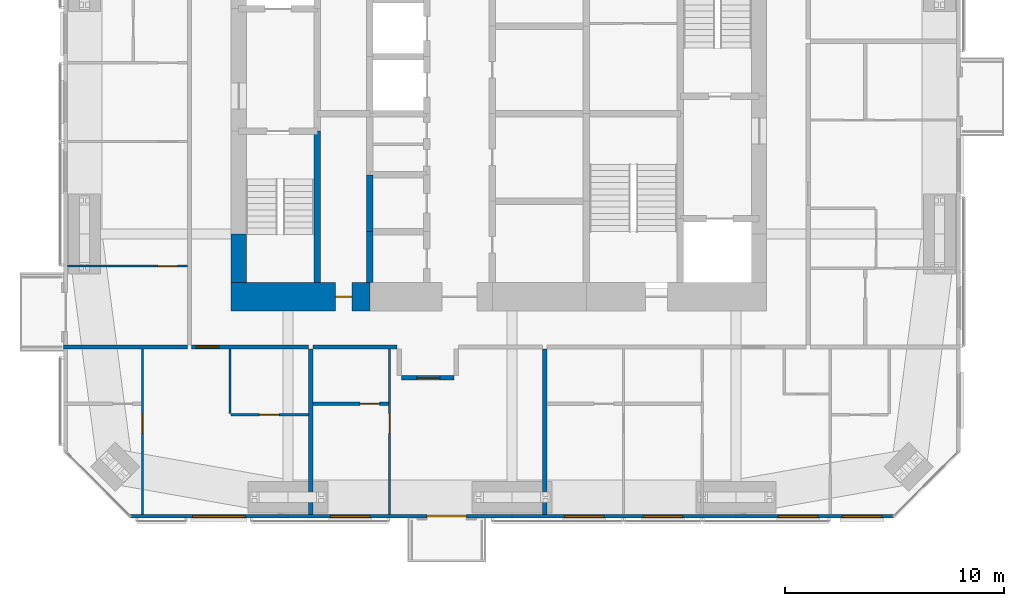
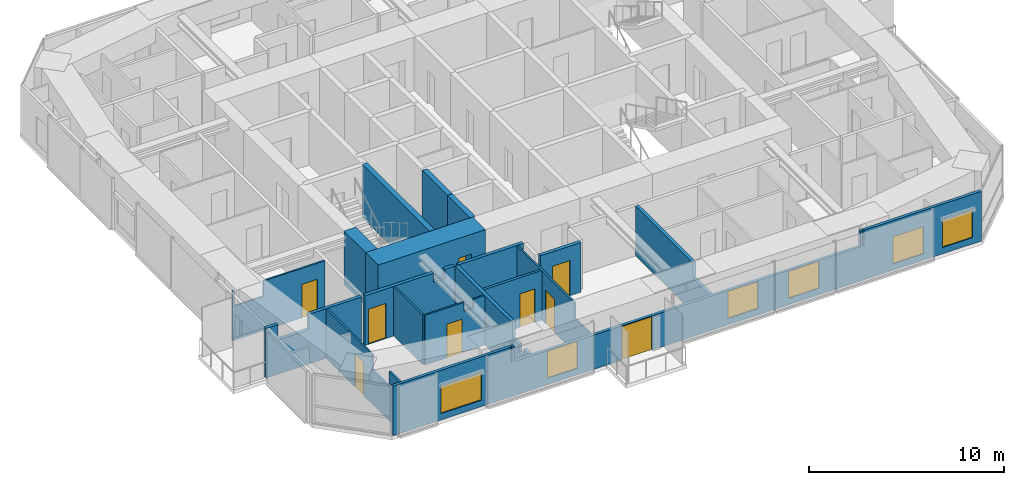
# One storey, part 16 of 23: 18 walls, 9 doors, 6 windows, 15 openings.
"""IFC4 building model written with IfcOpenShell, lengths in metres."""

from ifc_helpers import new_model, si_unit, direction, frame, frame_2d, origin, place, context, subcontext, project, spatial, polyline, rectangle, outline, extrude, material, layer, layer_set, constituent, constituent_set, type_object, element, fill, save


model = new_model("IFC4")

# Units and contexts
model_context = context("Model", 3, precision=1e-05, world=origin(), true_north=direction((0.0, 1.0)))
body_context = subcontext(model_context, "Body", "Model", "MODEL_VIEW")
ifc_project = project(units=[si_unit("LENGTHUNIT", "METRE"), si_unit("AREAUNIT", "SQUARE_METRE"), si_unit("VOLUMEUNIT", "CUBIC_METRE"), si_unit("PLANEANGLEUNIT", "RADIAN"), si_unit("MASSUNIT", "GRAM", prefix="KILO")], contexts=[model_context])

# Site, building, storey
site_placement = place(None, origin())
site = spatial("IfcSite", under=ifc_project, at=site_placement, CompositionType="ELEMENT")
building_placement = place(site_placement, origin())
building = spatial("IfcBuilding", under=site, at=building_placement, Name="Jalousie Tower", CompositionType="ELEMENT")
storey_placement = place(building_placement, frame((0.0, 0.0, 184.5)))
storey = spatial("IfcBuildingStorey", under=building, at=storey_placement, Name="L50", CompositionType="ELEMENT", Elevation=184.5)

# Wall, opening, door
ifc_material_1 = material(Name="Concrete block ASTM C90", Category="concrete")
ifc_constituent_1 = constituent(ifc_material_1, Name="Body")
ifc_material_2 = material(Name="Render")
ifc_constituent_2 = constituent(ifc_material_2, Name="Finish")
ifc_constituent_set_1 = constituent_set(constituents=[ifc_constituent_1, ifc_constituent_2])
wall_type_1 = type_object("IfcWallType", Name="BATHROOM WALL 150", PredefinedType="PLUMBINGWALL", material=ifc_constituent_set_1)
wall_1_placement = place(storey_placement, frame((23.39990234375, 5.22509765625, 0.0), z_axis=(0.0, 0.0, 1.0), x_axis=(1.0, 0.0, 0.0)))
wall_1 = element("IfcWall", 1, at=wall_1_placement, inside=storey, type_object=wall_type_1, Name="Bathroom Wall 150 L50", PredefinedType="PLUMBINGWALL", context=body_context, shape_type="SweptSolid", body=[
    extrude(rectangle(XDim=3.4501953125, YDim=0.14990234375, at=frame_2d((1.72509765625, 0.0))), origin(), (0.0, 0.0, 1.0), 3.110107421875),
])
opening_1_placement = place(wall_1_placement, frame((2.14990234375, 0.0, 0.0)))
opening_1 = element("IfcOpeningElement", 2, at=opening_1_placement, cuts=wall_1, Name="Opening D3", PredefinedType="OPENING", context=body_context, shape_type="SweptSolid", body=[
    extrude(rectangle(XDim=0.89990234375, YDim=2.10009765625, at=frame_2d((0.449951171875, 1.050048828125))), frame((0.0, 0.0849609375, 0.0), z_axis=(0.0, -1.0, 0.0), x_axis=(1.0, 0.0, 0.0)), (0.0, 0.0, 1.0), 0.169921875),
])
ifc_material_3 = material(Name="Timber door", Category="wood")
door_type_1 = type_object("IfcDoorType", Name="BATHROOM DOOR 900", OperationType="SINGLE_SWING_LEFT", PredefinedType="DOOR", material=ifc_material_3)
door_1_placement = place(opening_1_placement, origin())
door_1 = element("IfcDoor", 3, at=door_1_placement, inside=storey, type_object=door_type_1, Name="Apartment 5002 bedroom 1 bathroom door", OperationType="SINGLE_SWING_RIGHT", OverallHeight=2.10009765625, OverallWidth=0.89990234375, PredefinedType="DOOR", context=body_context, shape_type="SweptSolid", body=[
    extrude(rectangle(XDim=0.89990234375, YDim=2.10009765625, at=frame_2d((0.449951171875, 1.050048828125))), frame((0.0, 0.02490234375, 0.0), z_axis=(0.0, -1.0, 0.0), x_axis=(1.0, 0.0, 0.0)), (0.0, 0.0, 1.0), 0.050048828125),
])
fill(opening_1, door_1)

ifc_material_4 = material(Name="Concrete f'c 120 MPa", Category="concrete")
ifc_layer_1 = layer(ifc_material_4, 1.300048828125)
ifc_layer_set_1 = layer_set([ifc_layer_1], Name="Concrete f'c 120 MPa")
wall_type_2 = type_object("IfcWallType", Name="CORE WALL 1300", PredefinedType="SHEAR", material=ifc_layer_set_1)
wall_2_placement = place(storey_placement, frame((19.64990234375, 10.125, 0.0), z_axis=(0.0, 0.0, 1.0), x_axis=(1.0, 0.0, 0.0)))
wall_2 = element("IfcWall", 4, at=wall_2_placement, inside=storey, type_object=wall_type_2, Name="Core wall SA L50", PredefinedType="SHEAR", context=body_context, shape_type="SweptSolid", body=[
    extrude(rectangle(XDim=6.35009765625, YDim=1.300048828125, at=frame_2d((3.175048828125, 0.0))), origin(), (0.0, 0.0, 1.0), 3.35009765625),
])
opening_2_placement = place(wall_2_placement, frame((4.77490234375, 0.0, 0.0)))
opening_2 = element("IfcOpeningElement", 5, at=opening_2_placement, cuts=wall_2, Name="Opening D16", PredefinedType="OPENING", context=body_context, shape_type="SweptSolid", body=[
    extrude(rectangle(XDim=0.75, YDim=2.10009765625, at=frame_2d((0.375, 1.050048828125))), frame((0.0, 0.659912109375, 0.0), z_axis=(0.0, -1.0, 0.0), x_axis=(1.0, 0.0, 0.0)), (0.0, 0.0, 1.0), 1.320068359375),
])
ifc_material_5 = material(Name="Steel fire door", Category="steel")
door_type_2 = type_object("IfcDoorType", Name="RISER DOOR 750", OperationType="SINGLE_SWING_LEFT", PredefinedType="DOOR", material=ifc_material_5)
door_2_placement = place(opening_2_placement, origin())
door_2 = element("IfcDoor", 6, at=door_2_placement, inside=storey, type_object=door_type_2, Name="South riser door", OperationType="SINGLE_SWING_LEFT", OverallHeight=2.10009765625, OverallWidth=0.75, PredefinedType="DOOR", context=body_context, shape_type="SweptSolid", body=[
    extrude(rectangle(XDim=0.75, YDim=2.10009765625, at=frame_2d((0.375, 1.050048828125))), frame((0.0, 0.02490234375, 0.0), z_axis=(0.0, -1.0, 0.0), x_axis=(1.0, 0.0, 0.0)), (0.0, 0.0, 1.0), 0.050048828125),
])
fill(opening_2, door_2)

# Walls
ifc_material_6 = material(Name="Concrete f'c 120 MPa", Category="concrete")
ifc_layer_2 = layer(ifc_material_6, 0.300048828125)
ifc_layer_set_2 = layer_set([ifc_layer_2], Name="Concrete f'c 120 MPa")
wall_type_3 = type_object("IfcWallType", Name="CORE WALL 300", PredefinedType="SHEAR", material=ifc_layer_set_2)
wall_3_placement = place(storey_placement, frame((23.60009765625, 10.77490234375, 0.0), z_axis=(0.0, 0.0, 1.0), x_axis=(0.0, 1.0, 0.0)))
element("IfcWall", 7, at=wall_3_placement, inside=storey, type_object=wall_type_3, Name="Core wall X23.6A L50", PredefinedType="SHEAR", context=body_context, shape_type="SweptSolid", body=[
    extrude(rectangle(XDim=6.925048828125, YDim=0.300048828125, at=frame_2d((3.46240234375, 0.0))), origin(), (0.0, 0.0, 1.0), 3.35009765625),
])
wall_4_placement = place(storey_placement, frame((26.0, 10.77490234375, 0.0), z_axis=(0.0, 0.0, 1.0), x_axis=(0.0, 1.0, 0.0)))
element("IfcWall", 8, at=wall_4_placement, inside=storey, type_object=wall_type_3, Name="Core wall X26A L50", PredefinedType="SHEAR", context=body_context, shape_type="SweptSolid", body=[
    extrude(rectangle(XDim=2.3251953125, YDim=0.300048828125, at=frame_2d((1.16259765625, 0.0))), origin(), (0.0, 0.0, 1.0), 3.35009765625),
])
wall_5_placement = place(storey_placement, frame((26.0, 13.10009765625, 0.0), z_axis=(0.0, 0.0, 1.0), x_axis=(0.0, 1.0, 0.0)))
element("IfcWall", 9, at=wall_5_placement, inside=storey, type_object=wall_type_3, Name="Core wall X26B L50", PredefinedType="SHEAR", context=body_context, shape_type="SweptSolid", body=[
    extrude(rectangle(XDim=2.599853515625, YDim=0.300048828125, at=frame_2d((1.2998046875, 0.0))), origin(), (0.0, 0.0, 1.0), 3.35009765625),
])
ifc_material_7 = material(Name="Concrete f'c 120 MPa", Category="concrete")
ifc_layer_3 = layer(ifc_material_7, 0.699951171875)
ifc_layer_set_3 = layer_set([ifc_layer_3], Name="Concrete f'c 120 MPa")
wall_type_4 = type_object("IfcWallType", Name="CORE WALL 700", PredefinedType="SHEAR", material=ifc_layer_set_3)
wall_6_placement = place(storey_placement, frame((20.0, 13.0, 0.0), z_axis=(0.0, 0.0, 1.0), x_axis=(0.0, -1.0, 0.0)))
element("IfcWall", 10, at=wall_6_placement, inside=storey, type_object=wall_type_4, Name="Core wall WD L50", PredefinedType="SHEAR", context=body_context, shape_type="SweptSolid", body=[
    extrude(rectangle(XDim=2.22509765625, YDim=0.699951171875, at=frame_2d((1.112548828125, 0.0))), origin(), (0.0, 0.0, 1.0), 3.35009765625),
])

# Wall, opening, door
ifc_material_8 = material(Name="Concrete block ASTM C90", Category="concrete")
ifc_constituent_3 = constituent(ifc_material_8, Name="Body")
ifc_material_9 = material(Name="Render")
ifc_constituent_4 = constituent(ifc_material_9, Name="Finish")
ifc_constituent_set_2 = constituent_set(constituents=[ifc_constituent_3, ifc_constituent_4])
wall_type_5 = type_object("IfcWallType", Name="CORRIDOR WALL 200", PredefinedType="PARTITIONING", material=ifc_constituent_set_2)
wall_7_placement = place(storey_placement, frame((17.85009765625, 7.824951171875, 0.0), z_axis=(0.0, 0.0, 1.0), x_axis=(1.0, 0.0, 0.0)))
wall_7 = element("IfcWall", 11, at=wall_7_placement, inside=storey, type_object=wall_type_5, Name="Corridor Wall 200 L50", PredefinedType="PARTITIONING", context=body_context, shape_type="SweptSolid", body=[
    extrude(outline(polyline([(0.0, 0.0), (5.349853515625, 0.0), (5.35009765625, 3.110107421875), (4.7373046875, 3.110107421875), (4.7373046875, 2.541015625), (4.0625, 2.541015625), (4.0625, 3.110107421875), (0.0, 3.110107421875), (0.0, 0.0)])), frame((0.0, 0.10009765625, 0.0), z_axis=(0.0, -1.0, 0.0), x_axis=(1.0, 0.0, 0.0)), (0.0, 0.0, 1.0), 0.199951171875),
])
opening_3_placement = place(wall_7_placement, frame((0.199951171875, 0.0, 0.0)))
opening_3 = element("IfcOpeningElement", 12, at=opening_3_placement, cuts=wall_7, Name="Opening D1", PredefinedType="OPENING", context=body_context, shape_type="SweptSolid", body=[
    extrude(rectangle(XDim=1.050048828125, YDim=2.199951171875, at=frame_2d((0.52490234375, 1.10009765625))), frame((0.0, 0.10986328125, 0.0), z_axis=(0.0, -1.0, 0.0), x_axis=(1.0, 0.0, 0.0)), (0.0, 0.0, 1.0), 0.219970703125),
])
ifc_material_10 = material(Name="Timber fire door", Category="wood")
door_type_3 = type_object("IfcDoorType", Name="APARTMENT ENTRANCE DOOR 1050", OperationType="SINGLE_SWING_LEFT", PredefinedType="DOOR", material=ifc_material_10)
door_3_placement = place(opening_3_placement, frame((1.050048828125, 0.0, 0.0), z_axis=(0.0, 0.0, 1.0), x_axis=(-1.0, 0.0, 0.0)))
door_3 = element("IfcDoor", 13, at=door_3_placement, inside=storey, type_object=door_type_3, Name="Apartment 5001 entrance", OperationType="SINGLE_SWING_LEFT", OverallHeight=2.199951171875, OverallWidth=1.050048828125, PredefinedType="DOOR", context=body_context, shape_type="SweptSolid", body=[
    extrude(rectangle(XDim=1.050048828125, YDim=2.199951171875, at=frame_2d((0.52490234375, 1.10009765625))), frame((0.0, 0.02490234375, 0.0), z_axis=(0.0, -1.0, 0.0), x_axis=(1.0, 0.0, 0.0)), (0.0, 0.0, 1.0), 0.050048828125),
])
fill(opening_3, door_3)

# Wall
wall_8_placement = place(storey_placement, frame((23.39990234375, 7.824951171875, 0.0), z_axis=(0.0, 0.0, 1.0), x_axis=(1.0, 0.0, 0.0)))
element("IfcWall", 14, at=wall_8_placement, inside=storey, type_object=wall_type_5, Name="Corridor Wall 200 L50", PredefinedType="PARTITIONING", context=body_context, shape_type="SweptSolid", body=[
    extrude(rectangle(XDim=3.85009765625, YDim=0.199951171875, at=frame_2d((1.925048828125, 0.0))), origin(), (0.0, 0.0, 1.0), 3.110107421875),
])

# Wall, opening, door
wall_9_placement = place(storey_placement, frame((27.449951171875, 6.425048828125, 0.0), z_axis=(0.0, 0.0, 1.0), x_axis=(1.0, 0.0, 0.0)))
wall_9 = element("IfcWall", 15, at=wall_9_placement, inside=storey, type_object=wall_type_5, Name="Corridor Wall 200 L50", PredefinedType="PARTITIONING", context=body_context, shape_type="SweptSolid", body=[
    extrude(rectangle(XDim=2.400146484375, YDim=0.199951171875, at=frame_2d((1.2001953125, 0.0))), origin(), (0.0, 0.0, 1.0), 3.110107421875),
])
opening_4_placement = place(wall_9_placement, frame((0.699951171875, 0.0, 0.0)))
opening_4 = element("IfcOpeningElement", 16, at=opening_4_placement, cuts=wall_9, Name="Opening D1", PredefinedType="OPENING", context=body_context, shape_type="SweptSolid", body=[
    extrude(rectangle(XDim=1.050048828125, YDim=2.199951171875, at=frame_2d((0.52490234375, 1.10009765625))), frame((0.0, 0.10986328125, 0.0), z_axis=(0.0, -1.0, 0.0), x_axis=(1.0, 0.0, 0.0)), (0.0, 0.0, 1.0), 0.219970703125),
])
door_4_placement = place(opening_4_placement, frame((1.050048828125, 0.0, 0.0), z_axis=(0.0, 0.0, 1.0), x_axis=(-1.0, 0.0, 0.0)))
door_4 = element("IfcDoor", 17, at=door_4_placement, inside=storey, type_object=door_type_3, Name="Apartment 5002 entrance", OperationType="SINGLE_SWING_RIGHT", OverallHeight=2.199951171875, OverallWidth=1.050048828125, PredefinedType="DOOR", context=body_context, shape_type="SweptSolid", body=[
    extrude(rectangle(XDim=1.050048828125, YDim=2.199951171875, at=frame_2d((0.52490234375, 1.10009765625))), frame((0.0, 0.02490234375, 0.0), z_axis=(0.0, -1.0, 0.0), x_axis=(1.0, 0.0, 0.0)), (0.0, 0.0, 1.0), 0.050048828125),
])
fill(opening_4, door_4)

# Wall, openings, door, windows
ifc_material_11 = material(Name="Concrete f'c 40 MPa", Category="concrete")
ifc_constituent_5 = constituent(ifc_material_11, Name="Body")
ifc_material_12 = material(Name="Render, pastel lemon")
ifc_constituent_6 = constituent(ifc_material_12, Name="Finish")
ifc_constituent_set_3 = constituent_set(constituents=[ifc_constituent_5, ifc_constituent_6])
wall_type_6 = type_object("IfcWallType", Name="EXTERNAL WALL 175 LEMON RENDER", PredefinedType="SOLIDWALL", material=ifc_constituent_set_3)
wall_10_placement = place(storey_placement, frame((15.05126953125, 0.08740234375, 0.0), z_axis=(0.0, 0.0, 1.0), x_axis=(1.0, 0.0, 0.0)))
wall_10 = element("IfcWall", 18, at=wall_10_placement, inside=storey, type_object=wall_type_6, Name="External Wall 175 Lemon Render L50", PredefinedType="SOLIDWALL", context=body_context, shape_type="SweptSolid", body=[
    extrude(outline(polyline([(0.0, 0.0), (34.8974609375, 0.0), (34.8974609375, 3.110107421875), (27.91015625, 3.110107421875), (27.91015625, 2.14990234375), (27.8359375, 2.14990234375), (27.8359375, 3.110107421875), (27.69873046875, 3.110107421875), (27.69873046875, 2.14990234375), (7.19873046875, 2.14990234375), (7.19873046875, 3.110107421875), (7.0615234375, 3.110107421875), (7.0615234375, 2.14990234375), (6.9873046875, 2.14990234375), (6.9873046875, 3.110107421875), (0.0, 3.110107421875), (0.0, 0.0)])), frame((0.0, 0.08740234375, 0.0), z_axis=(0.0, -1.0, 0.0), x_axis=(1.0, 0.0, 0.0)), (0.0, 0.0, 1.0), 0.175048828125),
])
opening_5_placement = place(wall_10_placement, frame((2.840087890625, 0.0, 0.39990234375)))
opening_5 = element("IfcOpeningElement", 19, at=opening_5_placement, cuts=wall_10, Name="Opening W-LIV170", PredefinedType="OPENING", context=body_context, shape_type="SweptSolid", body=[
    extrude(rectangle(XDim=2.39990234375, YDim=1.699951171875, at=frame_2d((1.199951171875, 0.85009765625))), frame((0.0, 0.097412109375, 0.0), z_axis=(0.0, -1.0, 0.0), x_axis=(1.0, 0.0, 0.0)), (0.0, 0.0, 1.0), 0.195068359375),
])
opening_6_placement = place(wall_10_placement, frame((9.148681640625, 0.0, 0.39990234375)))
opening_6 = element("IfcOpeningElement", 20, at=opening_6_placement, cuts=wall_10, Name="Opening W-BED170", PredefinedType="OPENING", context=body_context, shape_type="SweptSolid", body=[
    extrude(rectangle(XDim=1.800048828125, YDim=1.699951171875, at=frame_2d((0.89990234375, 0.85009765625))), frame((0.0, 0.097412109375, 0.0), z_axis=(0.0, -1.0, 0.0), x_axis=(1.0, 0.0, 0.0)), (0.0, 0.0, 1.0), 0.195068359375),
])
opening_7_placement = place(wall_10_placement, frame((13.561279296875, 0.0, 0.0)))
opening_7 = element("IfcOpeningElement", 21, at=opening_7_placement, cuts=wall_10, Name="Opening D-BAL21", PredefinedType="OPENING", context=body_context, shape_type="SweptSolid", body=[
    extrude(rectangle(XDim=1.800048828125, YDim=2.10009765625, at=frame_2d((0.89990234375, 1.050048828125))), frame((0.0, 0.097412109375, 0.0), z_axis=(0.0, -1.0, 0.0), x_axis=(1.0, 0.0, 0.0)), (0.0, 0.0, 1.0), 0.195068359375),
])
opening_8_placement = place(wall_10_placement, frame((19.8486328125, 0.0, 0.39990234375)))
opening_8 = element("IfcOpeningElement", 22, at=opening_8_placement, cuts=wall_10, Name="Opening W-BED170", PredefinedType="OPENING", context=body_context, shape_type="SweptSolid", body=[
    extrude(rectangle(XDim=1.800048828125, YDim=1.699951171875, at=frame_2d((0.89990234375, 0.85009765625))), frame((0.0, 0.097412109375, 0.0), z_axis=(0.0, -1.0, 0.0), x_axis=(1.0, 0.0, 0.0)), (0.0, 0.0, 1.0), 0.195068359375),
])
opening_9_placement = place(wall_10_placement, frame((23.44873046875, 0.0, 0.39990234375)))
opening_9 = element("IfcOpeningElement", 23, at=opening_9_placement, cuts=wall_10, Name="Opening W-BED170", PredefinedType="OPENING", context=body_context, shape_type="SweptSolid", body=[
    extrude(rectangle(XDim=1.800048828125, YDim=1.699951171875, at=frame_2d((0.89990234375, 0.85009765625))), frame((0.0, 0.097412109375, 0.0), z_axis=(0.0, -1.0, 0.0), x_axis=(1.0, 0.0, 0.0)), (0.0, 0.0, 1.0), 0.195068359375),
])
opening_10_placement = place(wall_10_placement, frame((29.63623046875, 0.0, 0.39990234375)))
opening_10 = element("IfcOpeningElement", 24, at=opening_10_placement, cuts=wall_10, Name="Opening W-BED170", PredefinedType="OPENING", context=body_context, shape_type="SweptSolid", body=[
    extrude(rectangle(XDim=1.800048828125, YDim=1.699951171875, at=frame_2d((0.89990234375, 0.85009765625))), frame((0.0, 0.097412109375, 0.0), z_axis=(0.0, -1.0, 0.0), x_axis=(1.0, 0.0, 0.0)), (0.0, 0.0, 1.0), 0.195068359375),
])
opening_11_placement = place(wall_10_placement, frame((32.559814453125, 0.0, 0.39990234375)))
opening_11 = element("IfcOpeningElement", 25, at=opening_11_placement, cuts=wall_10, Name="Opening W-BED170", PredefinedType="OPENING", context=body_context, shape_type="SweptSolid", body=[
    extrude(rectangle(XDim=1.800048828125, YDim=1.699951171875, at=frame_2d((0.89990234375, 0.85009765625))), frame((0.0, 0.097412109375, 0.0), z_axis=(0.0, -1.0, 0.0), x_axis=(1.0, 0.0, 0.0)), (0.0, 0.0, 1.0), 0.195068359375),
])
ifc_material_13 = material(Name="Aluminium frame, impact-rated glazing", Category="aluminium")
door_type_4 = type_object("IfcDoorType", Name="BALCONY DOOR 1800x2100", OperationType="SLIDING_TO_LEFT", PredefinedType="DOOR", material=ifc_material_13)
door_5_placement = place(opening_7_placement, origin())
door_5 = element("IfcDoor", 26, at=door_5_placement, inside=storey, type_object=door_type_4, Name="Apartment 5002 living, dining and kitchen balcony door", OperationType="SLIDING_TO_LEFT", OverallHeight=2.10009765625, OverallWidth=1.800048828125, PredefinedType="DOOR", context=body_context, shape_type="SweptSolid", body=[
    extrude(rectangle(XDim=1.800048828125, YDim=2.10009765625, at=frame_2d((0.89990234375, 1.050048828125))), frame((0.0, 0.02490234375, 0.0), z_axis=(0.0, -1.0, 0.0), x_axis=(1.0, 0.0, 0.0)), (0.0, 0.0, 1.0), 0.050048828125),
])
fill(opening_7, door_5)
ifc_material_14 = material(Name="Aluminium frame, impact-rated glazing", Category="aluminium")
window_type_1 = type_object("IfcWindowType", Name="WINDOW BED 1800x1700", PartitioningType="SINGLE_PANEL", PredefinedType="WINDOW", material=ifc_material_14)
window_1_placement = place(opening_6_placement, origin())
window_1 = element("IfcWindow", 27, at=window_1_placement, inside=storey, type_object=window_type_1, Name="Apartment 5002 bedroom 1 window", OverallHeight=1.699951171875, OverallWidth=1.800048828125, PartitioningType="SINGLE_PANEL", PredefinedType="WINDOW", context=body_context, shape_type="SweptSolid", body=[
    extrude(rectangle(XDim=1.800048828125, YDim=1.699951171875, at=frame_2d((0.89990234375, 0.85009765625))), frame((0.0, 0.030029296875, 0.0), z_axis=(0.0, -1.0, 0.0), x_axis=(1.0, 0.0, 0.0)), (0.0, 0.0, 1.0), 0.06005859375),
])
fill(opening_6, window_1)
window_2_placement = place(opening_8_placement, origin())
window_2 = element("IfcWindow", 28, at=window_2_placement, inside=storey, type_object=window_type_1, Name="Apartment 5003 bedroom 1 window", OverallHeight=1.699951171875, OverallWidth=1.800048828125, PartitioningType="SINGLE_PANEL", PredefinedType="WINDOW", context=body_context, shape_type="SweptSolid", body=[
    extrude(rectangle(XDim=1.800048828125, YDim=1.699951171875, at=frame_2d((0.89990234375, 0.85009765625))), frame((0.0, 0.030029296875, 0.0), z_axis=(0.0, -1.0, 0.0), x_axis=(1.0, 0.0, 0.0)), (0.0, 0.0, 1.0), 0.06005859375),
])
fill(opening_8, window_2)
window_3_placement = place(opening_9_placement, origin())
window_3 = element("IfcWindow", 29, at=window_3_placement, inside=storey, type_object=window_type_1, Name="Apartment 5003 bedroom 2 window", OverallHeight=1.699951171875, OverallWidth=1.800048828125, PartitioningType="SINGLE_PANEL", PredefinedType="WINDOW", context=body_context, shape_type="SweptSolid", body=[
    extrude(rectangle(XDim=1.800048828125, YDim=1.699951171875, at=frame_2d((0.89990234375, 0.85009765625))), frame((0.0, 0.030029296875, 0.0), z_axis=(0.0, -1.0, 0.0), x_axis=(1.0, 0.0, 0.0)), (0.0, 0.0, 1.0), 0.06005859375),
])
fill(opening_9, window_3)
window_4_placement = place(opening_10_placement, origin())
window_4 = element("IfcWindow", 30, at=window_4_placement, inside=storey, type_object=window_type_1, Name="Apartment 5003 study window", OverallHeight=1.699951171875, OverallWidth=1.800048828125, PartitioningType="SINGLE_PANEL", PredefinedType="WINDOW", context=body_context, shape_type="SweptSolid", body=[
    extrude(rectangle(XDim=1.800048828125, YDim=1.699951171875, at=frame_2d((0.89990234375, 0.85009765625))), frame((0.0, 0.030029296875, 0.0), z_axis=(0.0, -1.0, 0.0), x_axis=(1.0, 0.0, 0.0)), (0.0, 0.0, 1.0), 0.06005859375),
])
fill(opening_10, window_4)
window_5_placement = place(opening_11_placement, origin())
window_5 = element("IfcWindow", 31, at=window_5_placement, inside=storey, type_object=window_type_1, Name="Apartment 5003 living and dining room window", OverallHeight=1.699951171875, OverallWidth=1.800048828125, PartitioningType="SINGLE_PANEL", PredefinedType="WINDOW", context=body_context, shape_type="SweptSolid", body=[
    extrude(rectangle(XDim=1.800048828125, YDim=1.699951171875, at=frame_2d((0.89990234375, 0.85009765625))), frame((0.0, 0.030029296875, 0.0), z_axis=(0.0, -1.0, 0.0), x_axis=(1.0, 0.0, 0.0)), (0.0, 0.0, 1.0), 0.06005859375),
])
fill(opening_11, window_5)
ifc_material_15 = material(Name="Aluminium frame, impact-rated glazing", Category="aluminium")
window_type_2 = type_object("IfcWindowType", Name="WINDOW LIV 2400x1700", PartitioningType="DOUBLE_PANEL_VERTICAL", PredefinedType="WINDOW", material=ifc_material_15)
window_6_placement = place(opening_5_placement, origin())
window_6 = element("IfcWindow", 32, at=window_6_placement, inside=storey, type_object=window_type_2, Name="Apartment 5001 living and dining room window", OverallHeight=1.699951171875, OverallWidth=2.39990234375, PartitioningType="SINGLE_PANEL", PredefinedType="WINDOW", context=body_context, shape_type="SweptSolid", body=[
    extrude(rectangle(XDim=2.39990234375, YDim=1.699951171875, at=frame_2d((1.199951171875, 0.85009765625))), frame((0.0, 0.030029296875, 0.0), z_axis=(0.0, -1.0, 0.0), x_axis=(1.0, 0.0, 0.0)), (0.0, 0.0, 1.0), 0.06005859375),
])
fill(opening_5, window_6)

# Wall, opening, door
ifc_material_16 = material(Name="Gypsum board", Category="gypsum")
ifc_constituent_7 = constituent(ifc_material_16, Name="Body")
ifc_material_17 = material(Name="Light-gauge steel studs ASTM A653 SS Grade 33", Category="steel")
ifc_constituent_8 = constituent(ifc_material_17, Name="Framing")
ifc_constituent_set_4 = constituent_set(constituents=[ifc_constituent_7, ifc_constituent_8])
wall_type_7 = type_object("IfcWallType", Name="PARTITION 100", PredefinedType="PARTITIONING", material=ifc_constituent_set_4)
wall_11_placement = place(storey_placement, frame((15.60009765625, 0.175048828125, 0.0), z_axis=(0.0, 0.0, 1.0), x_axis=(0.0, 1.0, 0.0)))
wall_11 = element("IfcWall", 33, at=wall_11_placement, inside=storey, type_object=wall_type_7, Name="Partition 100 L50", PredefinedType="PARTITIONING", context=body_context, shape_type="SweptSolid", body=[
    extrude(outline(polyline([(0.0, 0.0), (7.550048828125, 0.0), (7.550048828125, 3.110107421875), (2.825439453125, 3.110107421875), (2.825439453125, 2.14990234375), (1.07861328125, 2.14990234375), (1.07861328125, 3.110107421875), (0.0, 3.110107421875), (0.0, 0.0)])), frame((0.0, 0.050048828125, 0.0), z_axis=(0.0, -1.0, 0.0), x_axis=(1.0, 0.0, 0.0)), (0.0, 0.0, 1.0), 0.10009765625),
])
opening_12_placement = place(wall_11_placement, frame((3.699951171875, 0.0, 0.0)))
opening_12 = element("IfcOpeningElement", 34, at=opening_12_placement, cuts=wall_11, Name="Opening D2", PredefinedType="OPENING", context=body_context, shape_type="SweptSolid", body=[
    extrude(rectangle(XDim=0.89990234375, YDim=2.10009765625, at=frame_2d((0.449951171875, 1.050048828125))), frame((0.0, 0.06005859375, 0.0), z_axis=(0.0, -1.0, 0.0), x_axis=(1.0, 0.0, 0.0)), (0.0, 0.0, 1.0), 0.1201171875),
])
ifc_material_18 = material(Name="Timber door", Category="wood")
door_type_5 = type_object("IfcDoorType", Name="BEDROOM DOOR 900", OperationType="SINGLE_SWING_LEFT", PredefinedType="DOOR", material=ifc_material_18)
door_6_placement = place(opening_12_placement, origin())
door_6 = element("IfcDoor", 35, at=door_6_placement, inside=storey, type_object=door_type_5, Name="Apartment 5001 bedroom 1 door", OperationType="SINGLE_SWING_RIGHT", OverallHeight=2.10009765625, OverallWidth=0.89990234375, PredefinedType="DOOR", context=body_context, shape_type="SweptSolid", body=[
    extrude(rectangle(XDim=0.89990234375, YDim=2.10009765625, at=frame_2d((0.449951171875, 1.050048828125))), frame((0.0, 0.02490234375, 0.0), z_axis=(0.0, -1.0, 0.0), x_axis=(1.0, 0.0, 0.0)), (0.0, 0.0, 1.0), 0.050048828125),
])
fill(opening_12, door_6)

wall_12_placement = place(storey_placement, frame((19.64990234375, 4.72509765625, 0.0), z_axis=(0.0, 0.0, 1.0), x_axis=(1.0, 0.0, 0.0)))
wall_12 = element("IfcWall", 36, at=wall_12_placement, inside=storey, type_object=wall_type_7, Name="Partition 100 L50", PredefinedType="PARTITIONING", context=body_context, shape_type="SweptSolid", body=[
    extrude(outline(polyline([(0.0, 0.0), (3.550048828125, 0.0), (3.550048828125, 3.110107421875), (2.88720703125, 3.110107421875), (2.88720703125, 2.541015625), (2.3125, 2.541015625), (2.3125, 3.110107421875), (0.0, 3.110107421875), (0.0, 0.0)])), frame((0.0, 0.050048828125, 0.0), z_axis=(0.0, -1.0, 0.0), x_axis=(1.0, 0.0, 0.0)), (0.0, 0.0, 1.0), 0.10009765625),
])
opening_13_placement = place(wall_12_placement, frame((1.300048828125, 0.0, 0.0)))
opening_13 = element("IfcOpeningElement", 37, at=opening_13_placement, cuts=wall_12, Name="Opening D7", PredefinedType="OPENING", context=body_context, shape_type="SweptSolid", body=[
    extrude(rectangle(XDim=0.89990234375, YDim=2.10009765625, at=frame_2d((0.449951171875, 1.050048828125))), frame((0.0, 0.06005859375, 0.0), z_axis=(0.0, -1.0, 0.0), x_axis=(1.0, 0.0, 0.0)), (0.0, 0.0, 1.0), 0.1201171875),
])
ifc_material_19 = material(Name="Timber door", Category="wood")
door_type_6 = type_object("IfcDoorType", Name="INTERNAL DOOR 900", OperationType="SINGLE_SWING_LEFT", PredefinedType="DOOR", material=ifc_material_19)
door_7_placement = place(opening_13_placement, frame((0.89990234375, 0.0, 0.0), z_axis=(0.0, 0.0, 1.0), x_axis=(-1.0, 0.0, 0.0)))
door_7 = element("IfcDoor", 38, at=door_7_placement, inside=storey, type_object=door_type_6, Name="Apartment 5001 kitchen door", OperationType="SINGLE_SWING_LEFT", OverallHeight=2.10009765625, OverallWidth=0.89990234375, PredefinedType="DOOR", context=body_context, shape_type="SweptSolid", body=[
    extrude(rectangle(XDim=0.89990234375, YDim=2.10009765625, at=frame_2d((0.449951171875, 1.050048828125))), frame((0.0, 0.02490234375, 0.0), z_axis=(0.0, -1.0, 0.0), x_axis=(1.0, 0.0, 0.0)), (0.0, 0.0, 1.0), 0.050048828125),
])
fill(opening_13, door_7)

# Wall
wall_13_placement = place(storey_placement, frame((19.60009765625, 4.77490234375, 0.0), z_axis=(0.0, 0.0, 1.0), x_axis=(0.0, 1.0, 0.0)))
element("IfcWall", 39, at=wall_13_placement, inside=storey, type_object=wall_type_7, Name="Partition 100 L50", PredefinedType="PARTITIONING", context=body_context, shape_type="SweptSolid", body=[
    extrude(rectangle(XDim=2.9501953125, YDim=0.10009765625, at=frame_2d((1.47509765625, 0.0))), origin(), (0.0, 0.0, 1.0), 3.110107421875),
])

# Wall, opening, door
wall_14_placement = place(storey_placement, frame((26.89990234375, 0.175048828125, 0.0), z_axis=(0.0, 0.0, 1.0), x_axis=(0.0, 1.0, 0.0)))
wall_14 = element("IfcWall", 40, at=wall_14_placement, inside=storey, type_object=wall_type_7, Name="Partition 100 L50", PredefinedType="PARTITIONING", context=body_context, shape_type="SweptSolid", body=[
    extrude(outline(polyline([(0.0, 0.0), (7.550048828125, 0.0), (7.550048828125, 3.110107421875), (1.635009765625, 3.110107421875), (1.635009765625, 2.14990234375), (0.0, 2.14990234375), (0.0, 3.110107421875), (0.0, 0.0)])), frame((0.0, 0.050048828125, 0.0), z_axis=(0.0, -1.0, 0.0), x_axis=(1.0, 0.0, 0.0)), (0.0, 0.0, 1.0), 0.10009765625),
])
opening_14_placement = place(wall_14_placement, frame((3.699951171875, 0.0, 0.0)))
opening_14 = element("IfcOpeningElement", 41, at=opening_14_placement, cuts=wall_14, Name="Opening D2", PredefinedType="OPENING", context=body_context, shape_type="SweptSolid", body=[
    extrude(rectangle(XDim=0.89990234375, YDim=2.10009765625, at=frame_2d((0.449951171875, 1.050048828125))), frame((0.0, 0.06005859375, 0.0), z_axis=(0.0, -1.0, 0.0), x_axis=(1.0, 0.0, 0.0)), (0.0, 0.0, 1.0), 0.1201171875),
])
door_8_placement = place(opening_14_placement, origin())
door_8 = element("IfcDoor", 42, at=door_8_placement, inside=storey, type_object=door_type_5, Name="Apartment 5002 bedroom 1 door", OperationType="SINGLE_SWING_RIGHT", OverallHeight=2.10009765625, OverallWidth=0.89990234375, PredefinedType="DOOR", context=body_context, shape_type="SweptSolid", body=[
    extrude(rectangle(XDim=0.89990234375, YDim=2.10009765625, at=frame_2d((0.449951171875, 1.050048828125))), frame((0.0, 0.02490234375, 0.0), z_axis=(0.0, -1.0, 0.0), x_axis=(1.0, 0.0, 0.0)), (0.0, 0.0, 1.0), 0.050048828125),
])
fill(opening_14, door_8)

wall_15_placement = place(storey_placement, frame((12.175048828125, 11.52490234375, 0.0), z_axis=(0.0, 0.0, 1.0), x_axis=(1.0, 0.0, 0.0)))
wall_15 = element("IfcWall", 43, at=wall_15_placement, inside=storey, type_object=wall_type_7, Name="Partition 100 L50", PredefinedType="PARTITIONING", context=body_context, shape_type="SweptSolid", body=[
    extrude(outline(polyline([(0.0, 0.0), (5.474853515625, 0.0), (5.47509765625, 3.110107421875), (1.8359375, 3.110107421875), (1.8359375, 2.14990234375), (0.101318359375, 2.14990234375), (0.101318359375, 3.110107421875), (0.0, 3.110107421875), (0.0, 0.0)])), frame((0.0, 0.050048828125, 0.0), z_axis=(0.0, -1.0, 0.0), x_axis=(1.0, 0.0, 0.0)), (0.0, 0.0, 1.0), 0.10009765625),
])
opening_15_placement = place(wall_15_placement, frame((4.125, 0.0, 0.0)))
opening_15 = element("IfcOpeningElement", 44, at=opening_15_placement, cuts=wall_15, Name="Opening D2", PredefinedType="OPENING", context=body_context, shape_type="SweptSolid", body=[
    extrude(rectangle(XDim=0.89990234375, YDim=2.10009765625, at=frame_2d((0.449951171875, 1.050048828125))), frame((0.0, 0.06005859375, 0.0), z_axis=(0.0, -1.0, 0.0), x_axis=(1.0, 0.0, 0.0)), (0.0, 0.0, 1.0), 0.1201171875),
])
door_9_placement = place(opening_15_placement, origin())
door_9 = element("IfcDoor", 45, at=door_9_placement, inside=storey, type_object=door_type_5, Name="Apartment 5008 bedroom 1 door", OperationType="SINGLE_SWING_RIGHT", OverallHeight=2.10009765625, OverallWidth=0.89990234375, PredefinedType="DOOR", context=body_context, shape_type="SweptSolid", body=[
    extrude(rectangle(XDim=0.89990234375, YDim=2.10009765625, at=frame_2d((0.449951171875, 1.050048828125))), frame((0.0, 0.02490234375, 0.0), z_axis=(0.0, -1.0, 0.0), x_axis=(1.0, 0.0, 0.0)), (0.0, 0.0, 1.0), 0.050048828125),
])
fill(opening_15, door_9)

# Walls
ifc_material_20 = material(Name="Concrete block ASTM C90", Category="concrete")
ifc_constituent_9 = constituent(ifc_material_20, Name="Body")
ifc_material_21 = material(Name="Render")
ifc_constituent_10 = constituent(ifc_material_21, Name="Finish")
ifc_constituent_set_5 = constituent_set(constituents=[ifc_constituent_9, ifc_constituent_10])
wall_type_8 = type_object("IfcWallType", Name="PARTY WALL 200", PredefinedType="PARTITIONING", material=ifc_constituent_set_5)
wall_16_placement = place(storey_placement, frame((23.300048828125, 0.175048828125, 0.0), z_axis=(0.0, 0.0, 1.0), x_axis=(0.0, 1.0, 0.0)))
element("IfcWall", 46, at=wall_16_placement, inside=storey, type_object=wall_type_8, Name="Party Wall 200 L50", PredefinedType="PARTITIONING", context=body_context, shape_type="SweptSolid", body=[
    extrude(outline(polyline([(0.52880859375, 2.14990234375), (0.0, 2.14990234375), (0.0, 0.0), (0.52880859375, 0.0), (0.52880859375, 0.4716796875), (1.021240234375, 0.4716796875), (1.021240234375, 0.0), (7.550048828125, 0.0), (7.550048828125, 3.110107421875), (1.68505859375, 3.110107421875), (1.68505859375, 2.14990234375), (1.021240234375, 2.14990234375), (1.021240234375, 1.67822265625), (0.52880859375, 1.67822265625), (0.52880859375, 2.14990234375)])), frame((0.0, 0.10009765625, 0.0), z_axis=(0.0, -1.0, 0.0), x_axis=(1.0, 0.0, 0.0)), (0.0, 0.0, 1.0), 0.199951171875),
])
wall_17_placement = place(storey_placement, frame((34.0, 0.175048828125, 0.0), z_axis=(0.0, 0.0, 1.0), x_axis=(0.0, 1.0, 0.0)))
element("IfcWall", 47, at=wall_17_placement, inside=storey, type_object=wall_type_8, Name="Party Wall 200 L50", PredefinedType="PARTITIONING", context=body_context, shape_type="SweptSolid", body=[
    extrude(outline(polyline([(0.0, 0.0), (7.550048828125, 0.0), (7.550048828125, 3.110107421875), (1.68505859375, 3.110107421875), (1.68505859375, 2.14990234375), (0.0, 2.14990234375), (0.0, 3.110107421875), (0.0, 0.0)])), frame((0.0, 0.10009765625, 0.0), z_axis=(0.0, -1.0, 0.0), x_axis=(1.0, 0.0, 0.0)), (0.0, 0.0, 1.0), 0.199951171875),
])
wall_18_placement = place(storey_placement, frame((12.0, 7.824951171875, 0.0), z_axis=(0.0, 0.0, 1.0), x_axis=(1.0, 0.0, 0.0)))
element("IfcWall", 48, at=wall_18_placement, inside=storey, type_object=wall_type_8, Name="Party Wall 200 L50", PredefinedType="PARTITIONING", context=body_context, shape_type="SweptSolid", body=[
    extrude(outline(polyline([(0.0, 0.0), (5.64990234375, 0.0), (5.64990234375, 3.110107421875), (2.54736328125, 3.110107421875), (2.54736328125, 2.14990234375), (0.711669921875, 2.14990234375), (0.711669921875, 3.110107421875), (0.0, 3.110107421875), (0.0, 0.0)])), frame((0.0, 0.10009765625, 0.0), z_axis=(0.0, -1.0, 0.0), x_axis=(1.0, 0.0, 0.0)), (0.0, 0.0, 1.0), 0.199951171875),
])

save(model, "model.ifc")
